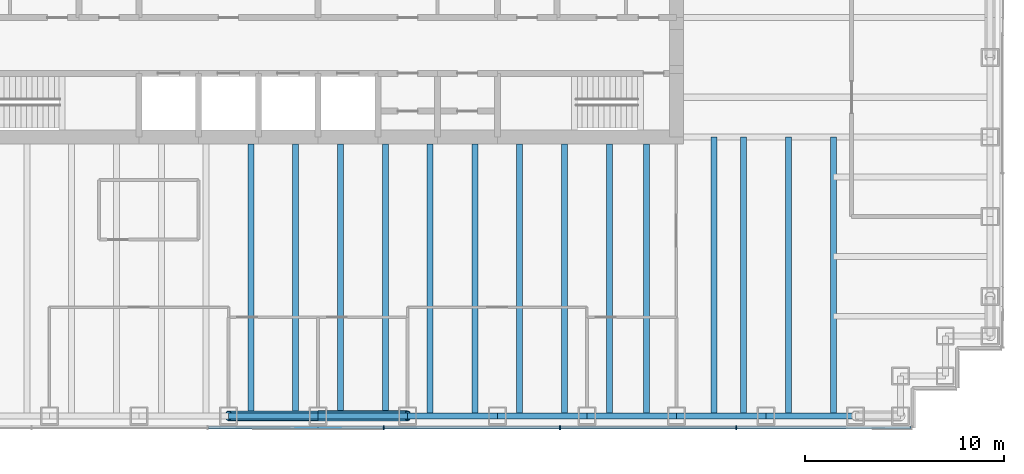
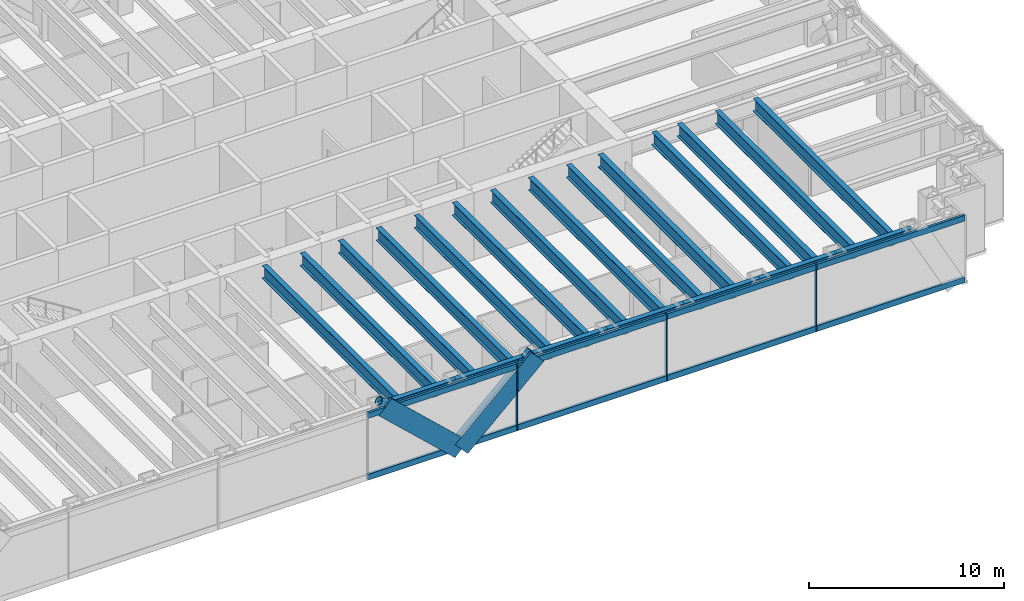
# One storey, part 4 of 15: 21 beams, 15 members, 1 element without a shape of its own.
"""IFC4 building model written with IfcOpenShell, lengths in metres."""

from ifc_helpers import new_model, si_unit, direction, frame, origin, origin_2d, place, context, subcontext, project, spatial, rectangle, hollow_circle, i_section, extrude, material, material_profile, profile_set, type_object, element, aggregate, save


model = new_model("IFC4")

# Units and contexts
model_context = context("Model", 3, precision=1e-05, world=origin(), true_north=direction((0.0, 1.0)))
body_context = subcontext(model_context, "Body", "Model", "MODEL_VIEW")
ifc_project = project(units=[si_unit("LENGTHUNIT", "METRE"), si_unit("AREAUNIT", "SQUARE_METRE"), si_unit("VOLUMEUNIT", "CUBIC_METRE"), si_unit("PLANEANGLEUNIT", "RADIAN"), si_unit("MASSUNIT", "GRAM", prefix="KILO")], contexts=[model_context])

# Site, building, storey
site_placement = place(None, origin())
site = spatial("IfcSite", under=ifc_project, at=site_placement, CompositionType="ELEMENT")
building_placement = place(site_placement, origin())
building = spatial("IfcBuilding", under=site, at=building_placement, Name="Rheinbord Bourse Tower", CompositionType="ELEMENT")
storey_placement = place(building_placement, frame((0.0, 0.0, 275.300048828125)))
storey = spatial("IfcBuildingStorey", under=building, at=storey_placement, Name="L62", CompositionType="ELEMENT", Elevation=275.300048828125)

# Curtain wall, members
ifc_material_1 = material(Name="Dark glass and black aluminium", Category="aluminium")
curtain_wall_type = type_object("IfcCurtainWallType", Name="CW3 DARK GLASS CURTAIN WALL", PredefinedType="USERDEFINED", material=ifc_material_1)
curtain_wall_placement = place(storey_placement, origin())
curtain_wall = element("IfcCurtainWall", 1, at=curtain_wall_placement, inside=storey, type_object=curtain_wall_type, Name="Curtain wall CW3 S L62", ObjectType="UNITISED CURTAIN WALL", PredefinedType="USERDEFINED")
ifc_material_2 = material(Name="Black anodised aluminium", Category="aluminium")
ifc_material_profile_1 = material_profile(ifc_material_2, rectangle(XDim=0.14990234375, YDim=1.10791015625, at=origin_2d()), Name="CW3 DIAGONAL MULLION 1108x150")
ifc_profile_set_1 = profile_set([ifc_material_profile_1], Name="Black anodised aluminium")
member_type_1 = type_object("IfcMemberType", Name="CW3 BLACK DIAGONAL MULLION", PredefinedType="USERDEFINED", material=ifc_profile_set_1)
member_1_placement = place(storey_placement, frame((36.0, 1.39990234375, 0.0), z_axis=(0.73105922506, 0.0, 0.682314010889), x_axis=(0.0, 1.0, 0.0)))
member_1 = element("IfcMember", 2, at=member_1_placement, type_object=member_type_1, Name="CW3 diagonal mullion a", ObjectType="DIAGONAL MULLION", PredefinedType="USERDEFINED", context=body_context, shape_type="SweptSolid", body=[
    extrude(rectangle(XDim=0.14990234375, YDim=1.10791015625, at=origin_2d()), origin(), (0.0, 0.0, 1.0), 6.155517578125),
])
member_2_placement = place(storey_placement, frame((36.0, 1.39990234375, 0.0), z_axis=(-0.73105922506, 0.0, 0.682314010889), x_axis=(0.0, -1.0, 0.0)))
member_2 = element("IfcMember", 3, at=member_2_placement, type_object=member_type_1, Name="CW3 diagonal mullion b", ObjectType="DIAGONAL MULLION", PredefinedType="USERDEFINED", context=body_context, shape_type="SweptSolid", body=[
    extrude(rectangle(XDim=0.14990234375, YDim=1.10791015625, at=origin_2d()), origin(), (0.0, 0.0, 1.0), 6.155517578125),
])
ifc_material_3 = material(Name="Black anodised aluminium", Category="aluminium")
ifc_material_profile_2 = material_profile(ifc_material_3, rectangle(XDim=0.199951171875, YDim=0.06494140625, at=origin_2d()), Name="CW3 MULLION 65x200")
ifc_profile_set_2 = profile_set([ifc_material_profile_2], Name="Black anodised aluminium")
member_type_2 = type_object("IfcMemberType", Name="CW3 BLACK MULLION", PredefinedType="MULLION", material=ifc_profile_set_2)
member_3_placement = place(storey_placement, frame((39.300048828125, 1.39990234375, 0.0), z_axis=(0.0, 0.0, 1.0), x_axis=(0.0, 1.0, 0.0)))
member_3 = element("IfcMember", 4, at=member_3_placement, type_object=member_type_2, Name="CW3 mullion 5", PredefinedType="MULLION", context=body_context, shape_type="SweptSolid", body=[
    extrude(rectangle(XDim=0.199951171875, YDim=0.06494140625, at=origin_2d()), origin(), (0.0, 0.0, 1.0), 4.199951171875),
])
member_4_placement = place(storey_placement, frame((48.14990234375, 1.39990234375, 0.0), z_axis=(0.0, 0.0, 1.0), x_axis=(0.0, 1.0, 0.0)))
member_4 = element("IfcMember", 5, at=member_4_placement, type_object=member_type_2, Name="CW3 mullion 6", PredefinedType="MULLION", context=body_context, shape_type="SweptSolid", body=[
    extrude(rectangle(XDim=0.199951171875, YDim=0.06494140625, at=origin_2d()), origin(), (0.0, 0.0, 1.0), 4.199951171875),
])
member_5_placement = place(storey_placement, frame((57.0, 1.39990234375, 0.0), z_axis=(0.0, 0.0, 1.0), x_axis=(0.0, 1.0, 0.0)))
member_5 = element("IfcMember", 6, at=member_5_placement, type_object=member_type_2, Name="CW3 mullion 7", PredefinedType="MULLION", context=body_context, shape_type="SweptSolid", body=[
    extrude(rectangle(XDim=0.199951171875, YDim=0.06494140625, at=origin_2d()), origin(), (0.0, 0.0, 1.0), 4.199951171875),
])
ifc_material_4 = material(Name="Black anodised aluminium", Category="aluminium")
ifc_material_profile_3 = material_profile(ifc_material_4, rectangle(XDim=0.14990234375, YDim=0.35009765625, at=origin_2d()), Name="CW3 TRANSOM 350x150")
ifc_profile_set_3 = profile_set([ifc_material_profile_3], Name="Black anodised aluminium")
member_type_3 = type_object("IfcMemberType", Name="CW3 BLACK TRANSOM", PredefinedType="USERDEFINED", material=ifc_profile_set_3)
member_6_placement = place(storey_placement, frame((30.482421875, 1.39990234375, 0.175048828125), z_axis=(1.0, 0.0, 0.0), x_axis=(0.0, 1.0, 0.0)))
member_6 = element("IfcMember", 7, at=member_6_placement, type_object=member_type_3, Name="CW3 transom 4.1", ObjectType="TRANSOM", PredefinedType="USERDEFINED", context=body_context, shape_type="SweptSolid", body=[
    extrude(rectangle(XDim=0.14990234375, YDim=0.35009765625, at=origin_2d()), origin(), (0.0, 0.0, 1.0), 8.78515625),
])
member_7_placement = place(storey_placement, frame((30.482421875, 1.39990234375, 4.02490234375), z_axis=(1.0, 0.0, 0.0), x_axis=(0.0, 1.0, 0.0)))
member_7 = element("IfcMember", 8, at=member_7_placement, type_object=member_type_3, Name="CW3 transom 4.2", ObjectType="TRANSOM", PredefinedType="USERDEFINED", context=body_context, shape_type="SweptSolid", body=[
    extrude(rectangle(XDim=0.14990234375, YDim=0.35009765625, at=origin_2d()), origin(), (0.0, 0.0, 1.0), 8.78515625),
])
member_8_placement = place(storey_placement, frame((39.33251953125, 1.39990234375, 0.175048828125), z_axis=(1.0, 0.0, 0.0), x_axis=(0.0, 1.0, 0.0)))
member_8 = element("IfcMember", 9, at=member_8_placement, type_object=member_type_3, Name="CW3 transom 5.1", ObjectType="TRANSOM", PredefinedType="USERDEFINED", context=body_context, shape_type="SweptSolid", body=[
    extrude(rectangle(XDim=0.14990234375, YDim=0.35009765625, at=origin_2d()), origin(), (0.0, 0.0, 1.0), 8.784912109375),
])
member_9_placement = place(storey_placement, frame((39.33251953125, 1.39990234375, 4.02490234375), z_axis=(1.0, 0.0, 0.0), x_axis=(0.0, 1.0, 0.0)))
member_9 = element("IfcMember", 10, at=member_9_placement, type_object=member_type_3, Name="CW3 transom 5.2", ObjectType="TRANSOM", PredefinedType="USERDEFINED", context=body_context, shape_type="SweptSolid", body=[
    extrude(rectangle(XDim=0.14990234375, YDim=0.35009765625, at=origin_2d()), origin(), (0.0, 0.0, 1.0), 8.784912109375),
])
member_10_placement = place(storey_placement, frame((48.1826171875, 1.39990234375, 0.175048828125), z_axis=(1.0, 0.0, 0.0), x_axis=(0.0, 1.0, 0.0)))
member_10 = element("IfcMember", 11, at=member_10_placement, type_object=member_type_3, Name="CW3 transom 6.1", ObjectType="TRANSOM", PredefinedType="USERDEFINED", context=body_context, shape_type="SweptSolid", body=[
    extrude(rectangle(XDim=0.14990234375, YDim=0.35009765625, at=origin_2d()), origin(), (0.0, 0.0, 1.0), 8.784912109375),
])
member_11_placement = place(storey_placement, frame((48.1826171875, 1.39990234375, 4.02490234375), z_axis=(1.0, 0.0, 0.0), x_axis=(0.0, 1.0, 0.0)))
member_11 = element("IfcMember", 12, at=member_11_placement, type_object=member_type_3, Name="CW3 transom 6.2", ObjectType="TRANSOM", PredefinedType="USERDEFINED", context=body_context, shape_type="SweptSolid", body=[
    extrude(rectangle(XDim=0.14990234375, YDim=0.35009765625, at=origin_2d()), origin(), (0.0, 0.0, 1.0), 8.784912109375),
])
member_12_placement = place(storey_placement, frame((57.032470703125, 1.39990234375, 0.175048828125), z_axis=(1.0, 0.0, 0.0), x_axis=(0.0, 1.0, 0.0)))
member_12 = element("IfcMember", 13, at=member_12_placement, type_object=member_type_3, Name="CW3 transom 7.1", ObjectType="TRANSOM", PredefinedType="USERDEFINED", context=body_context, shape_type="SweptSolid", body=[
    extrude(rectangle(XDim=0.14990234375, YDim=0.35009765625, at=origin_2d()), origin(), (0.0, 0.0, 1.0), 8.75244140625),
])
member_13_placement = place(storey_placement, frame((57.032470703125, 1.39990234375, 4.02490234375), z_axis=(1.0, 0.0, 0.0), x_axis=(0.0, 1.0, 0.0)))
member_13 = element("IfcMember", 14, at=member_13_placement, type_object=member_type_3, Name="CW3 transom 7.2", ObjectType="TRANSOM", PredefinedType="USERDEFINED", context=body_context, shape_type="SweptSolid", body=[
    extrude(rectangle(XDim=0.14990234375, YDim=0.35009765625, at=origin_2d()), origin(), (0.0, 0.0, 1.0), 8.75244140625),
])
aggregate(curtain_wall, [member_3, member_4, member_5, member_6, member_7, member_8, member_9, member_10, member_11, member_12, member_13, member_1, member_2])

# Beams
ifc_material_5 = material(Name="Steel S460", Category="steel")
ifc_material_profile_4 = material_profile(ifc_material_5, i_section(OverallWidth=0.300048828125, OverallDepth=0.800048828125, WebThickness=0.017578125, FlangeThickness=0.032958984375, at=origin_2d()), Name="HEB 800")
ifc_profile_set_4 = profile_set([ifc_material_profile_4], Name="Steel S460")
beam_type_1 = type_object("IfcBeamType", Name="FLOOR BEAM HEB 800", PredefinedType="BEAM", material=ifc_profile_set_4)
for number, where, z_axis, x_axis, name in (
    (15, (32.625, 2.0, 3.639892578125), (0.0, 1.0, 0.0), (-1.0, 0.0, 0.0), "Floor beam S-31.5a L63"),
    (16, (34.875, 2.0, 3.639892578125), (0.0, 1.0, 0.0), (-1.0, 0.0, 0.0), "Floor beam S-31.5b L63"),
    (17, (37.125, 2.0, 3.639892578125), (0.0, 1.0, 0.0), (-1.0, 0.0, 0.0), "Floor beam S-36a L63"),
    (18, (39.375, 2.0, 3.639892578125), (0.0, 1.0, 0.0), (-1.0, 0.0, 0.0), "Floor beam S-36b L63"),
    (19, (41.625, 2.0, 3.639892578125), (0.0, 1.0, 0.0), (-1.0, 0.0, 0.0), "Floor beam S-40.5a L63"),
    (20, (43.875, 2.0, 3.639892578125), (0.0, 1.0, 0.0), (-1.0, 0.0, 0.0), "Floor beam S-40.5b L63"),
    (21, (46.125, 2.0, 3.639892578125), (0.0, 1.0, 0.0), (-1.0, 0.0, 0.0), "Floor beam S-45a L63"),
    (22, (48.375, 2.0, 3.639892578125), (0.0, 1.0, 0.0), (-1.0, 0.0, 0.0), "Floor beam S-45b L63"),
    (23, (50.625, 2.0, 3.639892578125), (0.0, 1.0, 0.0), (-1.0, 0.0, 0.0), "Floor beam S-49.5a L63"),
    (24, (52.5, 2.0, 3.639892578125), (0.0, 1.0, 0.0), (-1.0, 0.0, 0.0), "Floor beam S-49.5b L63"),
):
    element("IfcBeam", number, at=place(storey_placement, frame(where, z_axis=z_axis, x_axis=x_axis)), inside=storey, type_object=beam_type_1, Name=name, PredefinedType="BEAM", context=body_context, shape_type="SweptSolid", body=[
        extrude(i_section(OverallWidth=0.300048828125, OverallDepth=0.800048828125, WebThickness=0.017578125, FlangeThickness=0.032958984375, at=origin_2d()), origin(), (0.0, 0.0, 1.0), 13.64990234375),
    ])
for number, where, z_axis, x_axis, name in (
    (25, (55.875, 2.0, 3.639892578125), (0.0, 1.0, 0.0), (-1.0, 0.0, 0.0), "Floor beam S-54a L63"),
    (26, (57.375, 2.0, 3.639892578125), (0.0, 1.0, 0.0), (-1.0, 0.0, 0.0), "Floor beam S-54b L63"),
    (27, (59.625, 2.0, 3.639892578125), (0.0, 1.0, 0.0), (-1.0, 0.0, 0.0), "Floor beam S-58.5a L63"),
    (28, (61.875, 2.0, 3.639892578125), (0.0, 1.0, 0.0), (-1.0, 0.0, 0.0), "Floor beam S-58.5b L63"),
):
    element("IfcBeam", number, at=place(storey_placement, frame(where, z_axis=z_axis, x_axis=x_axis)), inside=storey, type_object=beam_type_1, Name=name, PredefinedType="BEAM", context=body_context, shape_type="SweptSolid", body=[
        extrude(i_section(OverallWidth=0.300048828125, OverallDepth=0.800048828125, WebThickness=0.017578125, FlangeThickness=0.032958984375, at=origin_2d()), origin(), (0.0, 0.0, 1.0), 14.0),
    ])

# Members
ifc_material_6 = material(Name="Steel S460", Category="steel")
ifc_material_profile_5 = material_profile(ifc_material_6, hollow_circle(Radius=0.25390625, WallThickness=0.030029296875, at=origin_2d()), Name="CHS 508x30")
ifc_profile_set_5 = profile_set([ifc_material_profile_5], Name="Steel S460")
member_type_4 = type_object("IfcMemberType", Name="MEGABRACE CHS 508x30", PredefinedType="BRACE", material=ifc_profile_set_5)
for number, where, z_axis, x_axis, name in (
    (29, (36.0, 2.0, 0.0), (0.73105922506, 0.0, 0.682314010889), (0.0, 1.0, 0.0), "Megabrace S face line a L62"),
    (30, (36.0, 2.0, 0.0), (-0.73105922506, 0.0, 0.682314010889), (0.0, -1.0, 0.0), "Megabrace S face line b L62"),
):
    element("IfcMember", number, at=place(storey_placement, frame(where, z_axis=z_axis, x_axis=x_axis)), inside=storey, type_object=member_type_4, Name=name, PredefinedType="BRACE", context=body_context, shape_type="SweptSolid", body=[
        extrude(hollow_circle(Radius=0.25390625, WallThickness=0.030029296875, at=origin_2d()), origin(), (0.0, 0.0, 1.0), 6.155517578125),
    ])

# Beams
ifc_material_7 = material(Name="Steel S460", Category="steel")
ifc_material_profile_6 = material_profile(ifc_material_7, i_section(OverallWidth=0.300048828125, OverallDepth=0.550048828125, WebThickness=0.014892578125, FlangeThickness=0.029052734375, at=origin_2d()), Name="HEB 550")
ifc_profile_set_6 = profile_set([ifc_material_profile_6], Name="Steel S460")
beam_type_2 = type_object("IfcBeamType", Name="SPANDREL HEB 550", PredefinedType="SPANDREL", material=ifc_profile_set_6)
for number, where, z_axis, x_axis, name in (
    (31, (31.5, 2.0, 3.764892578125), (1.0, 0.0, 0.0), (0.0, 1.0, 0.0), "Spandrel S-31.5-S-36 under L63"),
    (32, (36.0, 2.0, 3.764892578125), (1.0, 0.0, 0.0), (0.0, 1.0, 0.0), "Spandrel S-36-S-40.5 under L63"),
    (33, (40.5, 2.0, 3.764892578125), (1.0, 0.0, 0.0), (0.0, 1.0, 0.0), "Spandrel S-40.5-S-45 under L63"),
    (34, (45.0, 2.0, 3.764892578125), (1.0, 0.0, 0.0), (0.0, 1.0, 0.0), "Spandrel S-45-S-49.5 under L63"),
    (35, (49.5, 2.0, 3.764892578125), (1.0, 0.0, 0.0), (0.0, 1.0, 0.0), "Spandrel S-49.5-S-54 under L63"),
    (36, (54.0, 2.0, 3.764892578125), (1.0, 0.0, 0.0), (0.0, 1.0, 0.0), "Spandrel S-54-S-58.5 under L63"),
    (37, (58.5, 2.0, 3.764892578125), (1.0, 0.0, 0.0), (0.0, 1.0, 0.0), "Spandrel S-58.5-S-63 under L63"),
):
    element("IfcBeam", number, at=place(storey_placement, frame(where, z_axis=z_axis, x_axis=x_axis)), inside=storey, type_object=beam_type_2, Name=name, PredefinedType="SPANDREL", context=body_context, shape_type="SweptSolid", body=[
        extrude(i_section(OverallWidth=0.300048828125, OverallDepth=0.550048828125, WebThickness=0.014892578125, FlangeThickness=0.029052734375, at=origin_2d()), origin(), (0.0, 0.0, 1.0), 4.5),
    ])

save(model, "model.ifc")
